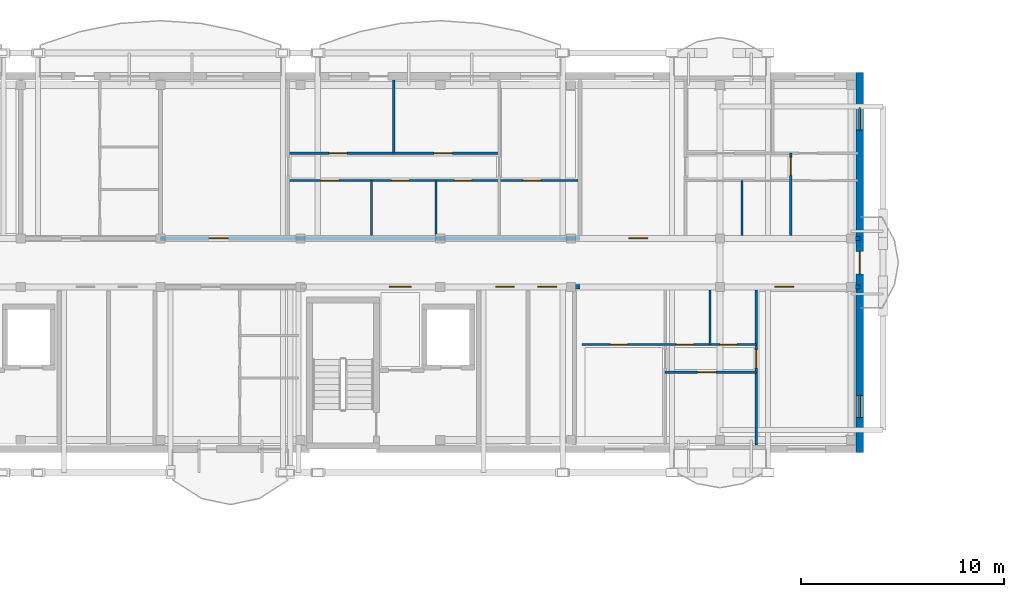
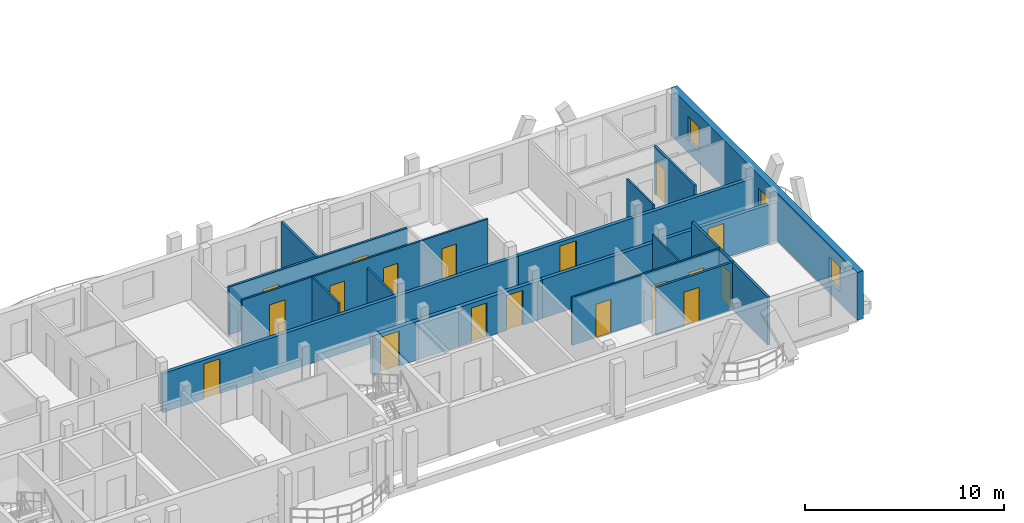
# One storey, part 23 of 44: 19 doors, 16 walls, 2 windows, 21 openings.
"""IFC4 building model written with IfcOpenShell, lengths in metres."""

import ifcopenshell
import ifcopenshell.guid

model = None  # the IFC model being written
_history = None  # IfcOwnerHistory: only IFC2X3 demands one
_inside = {}  # id of a spatial element -> (the spatial element, [elements in it])
_under = {}  # id of a project, library or spatial element -> (it, [spatial elements below it])
_declared = {}  # id of a project -> (the project, [libraries it declares])
_typed = {}  # id of a type object -> (the type object, [elements of that type])
_made_of = {}  # id of a material, layer set ... -> (it, [elements and type objects made of it])


def new_model(schema):
    """Start an empty IFC model of exactly this schema.

    Asked for "IFC4X3", IfcOpenShell would pick the latest addendum, in which some entities
    have other attributes; the version numbers below select the first issue.
    IFC2X3 requires an IfcOwnerHistory on every rooted entity: one is made here for all.
    """
    global model, _history
    if schema == "IFC4X3":
        model = ifcopenshell.file(schema_version=(4, 3, 0, 0))
    else:
        model = ifcopenshell.file(schema=schema)
    _inside.clear()
    _under.clear()
    _declared.clear()
    _typed.clear()
    _made_of.clear()
    _history = None
    if model.schema == "IFC2X3":
        org = make("IfcOrganization", Name="unknown")
        user = make(
            "IfcPersonAndOrganization",
            ThePerson=make("IfcPerson", FamilyName="unknown"),
            TheOrganization=org,
        )
        app = make(
            "IfcApplication",
            ApplicationDeveloper=org,
            Version="unknown",
            ApplicationFullName="unknown",
            ApplicationIdentifier="unknown",
        )
        _history = make(
            "IfcOwnerHistory",
            OwningUser=user,
            OwningApplication=app,
            ChangeAction="ADDED",
            CreationDate=0,
        )
    return model


def make(cls, **values):
    """One entity of the class cls with the attributes given. An attribute that is None is left unset."""
    return model.create_entity(
        cls, **{name: value for name, value in values.items() if value is not None}
    )


def rooted(cls, **values):
    """An entity with a GlobalId (a new one), such as an element, a storey or a relation."""
    return make(cls, GlobalId=ifcopenshell.guid.new(), OwnerHistory=_history, **values)


def si_unit(unit_type, name, prefix=None):
    """IfcSIUnit, for example si_unit("LENGTHUNIT", "METRE", prefix="MILLI")."""
    return make("IfcSIUnit", UnitType=unit_type, Prefix=prefix, Name=name)


def assignment(units):
    """IfcUnitAssignment: the units of a project."""
    return None if units is None else make("IfcUnitAssignment", Units=units)


def point(xyz):
    """IfcCartesianPoint."""
    return None if xyz is None else make("IfcCartesianPoint", Coordinates=xyz)


def direction(xyz):
    """IfcDirection."""
    return None if xyz is None else make("IfcDirection", DirectionRatios=xyz)


def frame(location, z_axis=None, x_axis=None):
    """IfcAxis2Placement3D, a coordinate frame: its origin and axes. An axis left out is left unset."""
    return make(
        "IfcAxis2Placement3D",
        Location=point(location),
        Axis=direction(z_axis),
        RefDirection=direction(x_axis),
    )


def frame_2d(location, x_axis=None):
    """IfcAxis2Placement2D, a coordinate frame in the plane: its origin and x axis."""
    return make(
        "IfcAxis2Placement2D", Location=point(location), RefDirection=direction(x_axis)
    )


def origin():
    """The frame at (0, 0, 0) with its axes left unset."""
    return frame((0.0, 0.0, 0.0))


def origin_with_axes():
    """The frame at (0, 0, 0) with the z axis (0, 0, 1) and the x axis (1, 0, 0) written out."""
    return frame((0.0, 0.0, 0.0), z_axis=(0.0, 0.0, 1.0), x_axis=(1.0, 0.0, 0.0))


def place(relative_to, where):
    """IfcLocalPlacement: puts the frame where relative to a parent placement (None: the world)."""
    return make(
        "IfcLocalPlacement", PlacementRelTo=relative_to, RelativePlacement=where
    )


def context(
    kind, dimensions, precision=None, world=None, true_north=None, identifier=None
):
    """IfcGeometricRepresentationContext, for example the 3D "Model" context."""
    return make(
        "IfcGeometricRepresentationContext",
        ContextIdentifier=identifier,
        ContextType=kind,
        CoordinateSpaceDimension=dimensions,
        Precision=precision,
        WorldCoordinateSystem=world,
        TrueNorth=true_north,
    )


def subcontext(parent, identifier, kind, view, scale=None):
    """IfcGeometricRepresentationSubContext, for example "Body" below "Model"."""
    return make(
        "IfcGeometricRepresentationSubContext",
        ContextIdentifier=identifier,
        ContextType=kind,
        ParentContext=parent,
        TargetScale=scale,
        TargetView=view,
    )


def project(units=None, contexts=None):
    """IfcProject with its units and contexts."""
    return rooted(
        "IfcProject",
        Name="project",
        RepresentationContexts=contexts,
        UnitsInContext=assignment(units),
    )


def spatial(cls, under=None, at=None, **own):
    """A site, building, storey or space (cls), placed at a placement, below another one or the project."""
    s = rooted(cls, ObjectPlacement=at, **own)
    if under is not None:
        _under.setdefault(under.id(), (under, []))[1].append(s)
    return s


def profile(cls, at=None, kind="AREA", **sizes):
    """A parametric profile (cls). Its sizes go by their IFC names, for example OverallWidth=200.0."""
    return make(cls, ProfileType=kind, Position=at, **sizes)


def rectangle(**sizes):
    """IfcRectangleProfileDef."""
    return profile("IfcRectangleProfileDef", **sizes)


def extrude(swept, where, along, depth):
    """IfcExtrudedAreaSolid: the profile swept, set in the frame where, extruded along a direction by depth."""
    return make(
        "IfcExtrudedAreaSolid",
        SweptArea=swept,
        Position=where,
        ExtrudedDirection=direction(along),
        Depth=depth,
    )


def shape(context_of_items, identifier, shape_type, items):
    """IfcShapeRepresentation: the items that make up one representation, for example the "Body"."""
    return make(
        "IfcShapeRepresentation",
        ContextOfItems=context_of_items,
        RepresentationIdentifier=identifier,
        RepresentationType=shape_type,
        Items=items,
    )


def material(Name=None, Category=None):
    """IfcMaterial."""
    return make("IfcMaterial", Name=Name, Category=Category)


def layer(
    of_material, thickness, ventilated=None, Name=None, Category=None, Priority=None
):
    """IfcMaterialLayer: one layer of a wall or slab, of a material (None: an air gap)."""
    return make(
        "IfcMaterialLayer",
        Material=of_material,
        LayerThickness=thickness,
        IsVentilated=ventilated,
        Name=Name,
        Category=Category,
        Priority=Priority,
    )


def layer_set(layers, Name=None):
    """IfcMaterialLayerSet."""
    return make("IfcMaterialLayerSet", MaterialLayers=layers, LayerSetName=Name)


def made_of(thing, what):
    """Note that an element or type object is made of a material, layer set ...; save() writes the relation."""
    if what is not None:
        _made_of.setdefault(what.id(), (what, []))[1].append(thing)
    return thing


def type_object(cls, material=None, **own):
    """A type object (cls), such as IfcWallType, which elements share."""
    return made_of(rooted(cls, **own), material)


def element(
    cls,
    number,
    at=None,
    inside=None,
    cuts=None,
    type_object=None,
    material=None,
    context=None,
    identifier="Body",
    shape_type=None,
    held_by="IfcProductDefinitionShape",
    body=None,
    shapes=None,
    **own,
):
    """One element of the class cls, such as IfcWall. Its Tag is "e" and its number.

    at: its placement. inside: the storey or other place that contains it. cuts: it is an
    opening in that element (IfcRelVoidsElement). A single representation is given by context,
    identifier, shape_type and body (its items); several are given by shapes. held_by: the class
    of the entity that holds the representations. save() writes the other relations.
    """
    e = rooted(cls, Tag="e%d" % number, ObjectPlacement=at, **own)
    if body is not None:
        shapes = [shape(context, identifier, shape_type, body)]
    if shapes is not None:
        e.Representation = make(held_by, Representations=shapes)
    if inside is not None:
        _inside.setdefault(inside.id(), (inside, []))[1].append(e)
    if cuts is not None:
        rooted(
            "IfcRelVoidsElement", RelatingBuildingElement=cuts, RelatedOpeningElement=e
        )
    if type_object is not None:
        _typed.setdefault(type_object.id(), (type_object, []))[1].append(e)
    return made_of(e, material)


def fill(opening, filler):
    """IfcRelFillsElement: the door or window that sits in an opening."""
    return rooted(
        "IfcRelFillsElement",
        RelatingOpeningElement=opening,
        RelatedBuildingElement=filler,
    )


def aggregate(whole, parts):
    """IfcRelAggregates: a whole, such as a stair, and the parts it consists of."""
    return rooted("IfcRelAggregates", RelatingObject=whole, RelatedObjects=parts)


def save(model, path):
    """Write the relations noted so far, then the file.

    IfcRelAggregates (storeys below a building ...), IfcRelContainedInSpatialStructure (elements
    in a storey), IfcRelDefinesByType, IfcRelAssociatesMaterial and IfcRelDeclares: one each for
    every whole, place, type object, material and project.
    """
    for whole, parts in _under.values():
        aggregate(whole, parts)
    for where, things in _inside.values():
        rooted(
            "IfcRelContainedInSpatialStructure",
            RelatedElements=things,
            RelatingStructure=where,
        )
    for kind, things in _typed.values():
        rooted("IfcRelDefinesByType", RelatedObjects=things, RelatingType=kind)
    for what, things in _made_of.values():
        rooted("IfcRelAssociatesMaterial", RelatedObjects=things, RelatingMaterial=what)
    for by, libraries in _declared.values():
        rooted("IfcRelDeclares", RelatingContext=by, RelatedDefinitions=libraries)
    model.write(path)


model = new_model("IFC4")

# Units and contexts
model_context = context("Model", 3, precision=1e-05, world=origin(), true_north=direction((0.0, 1.0)))
body_context = subcontext(model_context, "Body", "Model", "MODEL_VIEW")
ifc_project = project(units=[si_unit("LENGTHUNIT", "METRE"), si_unit("AREAUNIT", "SQUARE_METRE"), si_unit("VOLUMEUNIT", "CUBIC_METRE"), si_unit("PLANEANGLEUNIT", "RADIAN"), si_unit("MASSUNIT", "GRAM", prefix="KILO")], contexts=[model_context])

# Site, building, storey
site_placement = place(None, origin())
site = spatial("IfcSite", under=ifc_project, at=site_placement, CompositionType="ELEMENT")
building_placement = place(site_placement, origin())
building = spatial("IfcBuilding", under=site, at=building_placement, Name="Zavelmont Quarter", CompositionType="ELEMENT")
storey_placement = place(building_placement, frame((0.0, 0.0, 20.800048828125)))
storey = spatial("IfcBuildingStorey", under=building, at=storey_placement, Name="L06", CompositionType="ELEMENT", Elevation=20.800048828125)

# Wall, openings, door, windows
ifc_material_1 = material(Name="Natural Belgian limestone", Category="masonry")
ifc_layer_1 = layer(ifc_material_1, 0.360107421875)
ifc_layer_set_1 = layer_set([ifc_layer_1], Name="Natural Belgian limestone")
wall_type_1 = type_object("IfcWallType", Name="EW02", PredefinedType="STANDARD", material=ifc_layer_set_1)
wall_1_placement = place(storey_placement, frame((55.199951171875, 97.419921875, 0.0), z_axis=(0.0, 0.0, 1.0), x_axis=(0.0, 1.0, 0.0)))
wall_1 = element("IfcWall", 1, at=wall_1_placement, inside=storey, type_object=wall_type_1, Name="L06 exterior limestone wall EW02", PredefinedType="STANDARD", context=body_context, shape_type="SweptSolid", body=[
    extrude(rectangle(XDim=18.760009765625, YDim=0.360107421875, at=frame_2d((9.3798828125, 0.0))), origin(), (0.0, 0.0, 1.0), 2.949951171875),
])
opening_1_placement = place(wall_1_placement, frame((8.830078125, 0.0, 0.0)))
opening_1 = element("IfcOpeningElement", 2, at=opening_1_placement, cuts=wall_1, Name="Opening DR04B", PredefinedType="OPENING", context=body_context, shape_type="SweptSolid", body=[
    extrude(rectangle(XDim=1.10009765625, YDim=2.10009765625, at=frame_2d((0.550048828125, 1.050048828125))), frame((0.0, 0.19189453125, 0.0), z_axis=(0.0, -1.0, 0.0), x_axis=(1.0, 0.0, 0.0)), (0.0, 0.0, 1.0), 0.384033203125),
])
opening_2_placement = place(wall_1_placement, frame((1.72998046875, 0.0, 0.719970703125)))
opening_2 = element("IfcOpeningElement", 3, at=opening_2_placement, cuts=wall_1, Name="Opening WN09", PredefinedType="OPENING", context=body_context, shape_type="SweptSolid", body=[
    extrude(rectangle(XDim=1.10009765625, YDim=1.5, at=frame_2d((0.550048828125, 0.75))), frame((0.0, 0.19189453125, 0.0), z_axis=(0.0, -1.0, 0.0), x_axis=(1.0, 0.0, 0.0)), (0.0, 0.0, 1.0), 0.384033203125),
])
opening_3_placement = place(wall_1_placement, frame((15.929931640625, 0.0, 0.719970703125)))
opening_3 = element("IfcOpeningElement", 4, at=opening_3_placement, cuts=wall_1, Name="Opening WN09", PredefinedType="OPENING", context=body_context, shape_type="SweptSolid", body=[
    extrude(rectangle(XDim=1.10009765625, YDim=1.5, at=frame_2d((0.550048828125, 0.75))), frame((0.0, 0.19189453125, 0.0), z_axis=(0.0, -1.0, 0.0), x_axis=(1.0, 0.0, 0.0)), (0.0, 0.0, 1.0), 0.384033203125),
])
ifc_material_2 = material(Name="Thermally broken aluminium and double safety glass", Category="aluminium")
door_type_1 = type_object("IfcDoorType", Name="DR04B", OperationType="NOTDEFINED", PredefinedType="DOOR", material=ifc_material_2)
door_1_placement = place(opening_1_placement, origin_with_axes())
door_1 = element("IfcDoor", 5, at=door_1_placement, inside=storey, type_object=door_type_1, Name="Block B L06 terrace or vase balcony door", OperationType="SINGLE_SWING_RIGHT", OverallHeight=2.10009765625, OverallWidth=1.10009765625, PredefinedType="DOOR", context=body_context, shape_type="SweptSolid", body=[
    extrude(rectangle(XDim=1.10009765625, YDim=2.10009765625, at=frame_2d((0.550048828125, 1.050048828125))), frame((0.0, 0.02490234375, 0.0), z_axis=(0.0, -1.0, 0.0), x_axis=(1.0, 0.0, 0.0)), (0.0, 0.0, 1.0), 0.050048828125),
])
fill(opening_1, door_1)
ifc_material_3 = material(Name="Double low-E insulated glazing in thermally broken aluminium frame", Category="aluminium")
window_type = type_object("IfcWindowType", Name="WN09", PartitioningType="SINGLE_PANEL", PredefinedType="WINDOW", material=ifc_material_3)
window_1_placement = place(opening_2_placement, origin_with_axes())
window_1 = element("IfcWindow", 6, at=window_1_placement, inside=storey, type_object=window_type, Name="L06 window WN09", OverallHeight=1.5, OverallWidth=1.10009765625, PartitioningType="SINGLE_PANEL", PredefinedType="WINDOW", context=body_context, shape_type="SweptSolid", body=[
    extrude(rectangle(XDim=1.10009765625, YDim=1.5, at=frame_2d((0.550048828125, 0.75))), frame((0.0, 0.030029296875, 0.0), z_axis=(0.0, -1.0, 0.0), x_axis=(1.0, 0.0, 0.0)), (0.0, 0.0, 1.0), 0.06005859375),
])
fill(opening_2, window_1)
window_2_placement = place(opening_3_placement, origin_with_axes())
window_2 = element("IfcWindow", 7, at=window_2_placement, inside=storey, type_object=window_type, Name="L06 window WN09", OverallHeight=1.5, OverallWidth=1.10009765625, PartitioningType="SINGLE_PANEL", PredefinedType="WINDOW", context=body_context, shape_type="SweptSolid", body=[
    extrude(rectangle(XDim=1.10009765625, YDim=1.5, at=frame_2d((0.550048828125, 0.75))), frame((0.0, 0.030029296875, 0.0), z_axis=(0.0, -1.0, 0.0), x_axis=(1.0, 0.0, 0.0)), (0.0, 0.0, 1.0), 0.06005859375),
])
fill(opening_3, window_2)

# Wall, opening, door
ifc_material_4 = material(Name="Calcium-silicate blockwork and acoustic plaster", Category="masonry")
ifc_layer_2 = layer(ifc_material_4, 0.199951171875)
ifc_layer_set_2 = layer_set([ifc_layer_2], Name="Calcium-silicate blockwork and acoustic plaster")
wall_type_2 = type_object("IfcWallType", Name="IW01", PredefinedType="PARTITIONING", material=ifc_layer_set_2)
wall_2_placement = place(storey_placement, frame((20.699951171875, 108.0, 0.0), z_axis=(0.0, 0.0, 1.0), x_axis=(1.0, 0.0, 0.0)))
wall_2 = element("IfcWall", 8, at=wall_2_placement, inside=storey, type_object=wall_type_2, Name="L06 Corridor compartment wall IW01", PredefinedType="PARTITIONING", context=body_context, shape_type="SweptSolid", body=[
    extrude(rectangle(XDim=20.699951171875, YDim=0.199951171875, at=frame_2d((10.35009765625, 0.0))), origin(), (0.0, 0.0, 1.0), 2.389892578125),
])
opening_4_placement = place(wall_2_placement, frame((2.39990234375, 0.0, 0.0)))
opening_4 = element("IfcOpeningElement", 9, at=opening_4_placement, cuts=wall_2, Name="Opening DR02", PredefinedType="OPENING", context=body_context, shape_type="SweptSolid", body=[
    extrude(rectangle(XDim=0.949951171875, YDim=2.14990234375, at=frame_2d((0.47509765625, 1.074951171875))), frame((0.0, 0.11181640625, 0.0), z_axis=(0.0, -1.0, 0.0), x_axis=(1.0, 0.0, 0.0)), (0.0, 0.0, 1.0), 0.223876953125),
])
ifc_material_5 = material(Name="Solid-core oak fire leaf in steel frame", Category="steel")
door_type_2 = type_object("IfcDoorType", Name="DR02", OperationType="NOTDEFINED", PredefinedType="DOOR", material=ifc_material_5)
door_2_placement = place(opening_4_placement, origin_with_axes())
door_2 = element("IfcDoor", 10, at=door_2_placement, inside=storey, type_object=door_type_2, Name="L06 door DR02", OperationType="SINGLE_SWING_RIGHT", OverallHeight=2.14990234375, OverallWidth=0.949951171875, PredefinedType="DOOR", context=body_context, shape_type="SweptSolid", body=[
    extrude(rectangle(XDim=0.949951171875, YDim=2.14990234375, at=frame_2d((0.47509765625, 1.074951171875))), frame((0.0, 0.02490234375, 0.0), z_axis=(0.0, -1.0, 0.0), x_axis=(1.0, 0.0, 0.0)), (0.0, 0.0, 1.0), 0.050048828125),
])
fill(opening_4, door_2)

wall_3_placement = place(storey_placement, frame((41.39990234375, 108.0, 0.0), z_axis=(0.0, 0.0, 1.0), x_axis=(1.0, 0.0, 0.0)))
wall_3 = element("IfcWall", 11, at=wall_3_placement, inside=storey, type_object=wall_type_2, Name="L06 Corridor compartment wall IW01", PredefinedType="PARTITIONING", context=body_context, shape_type="SweptSolid", body=[
    extrude(rectangle(XDim=13.800048828125, YDim=0.199951171875, at=frame_2d((6.89990234375, 0.0))), origin(), (0.0, 0.0, 1.0), 2.389892578125),
])
opening_5_placement = place(wall_3_placement, frame((2.39990234375, 0.0, 0.0)))
opening_5 = element("IfcOpeningElement", 12, at=opening_5_placement, cuts=wall_3, Name="Opening DR02", PredefinedType="OPENING", context=body_context, shape_type="SweptSolid", body=[
    extrude(rectangle(XDim=0.949951171875, YDim=2.14990234375, at=frame_2d((0.47509765625, 1.074951171875))), frame((0.0, 0.11181640625, 0.0), z_axis=(0.0, -1.0, 0.0), x_axis=(1.0, 0.0, 0.0)), (0.0, 0.0, 1.0), 0.223876953125),
])
door_3_placement = place(opening_5_placement, origin_with_axes())
door_3 = element("IfcDoor", 13, at=door_3_placement, inside=storey, type_object=door_type_2, Name="L06 door DR02", OperationType="SINGLE_SWING_RIGHT", OverallHeight=2.14990234375, OverallWidth=0.949951171875, PredefinedType="DOOR", context=body_context, shape_type="SweptSolid", body=[
    extrude(rectangle(XDim=0.949951171875, YDim=2.14990234375, at=frame_2d((0.47509765625, 1.074951171875))), frame((0.0, 0.02490234375, 0.0), z_axis=(0.0, -1.0, 0.0), x_axis=(1.0, 0.0, 0.0)), (0.0, 0.0, 1.0), 0.050048828125),
])
fill(opening_5, door_3)

wall_4_placement = place(storey_placement, frame((41.39990234375, 105.60009765625, 0.0), z_axis=(0.0, 0.0, 1.0), x_axis=(1.0, 0.0, 0.0)))
wall_4 = element("IfcWall", 14, at=wall_4_placement, inside=storey, type_object=wall_type_2, Name="L06 Corridor compartment wall IW01", PredefinedType="PARTITIONING", context=body_context, shape_type="SweptSolid", body=[
    extrude(rectangle(XDim=13.800048828125, YDim=0.199951171875, at=frame_2d((6.89990234375, 0.0))), origin(), (0.0, 0.0, 1.0), 2.389892578125),
])
opening_6_placement = place(wall_4_placement, frame((9.60009765625, 0.0, 0.0)))
opening_6 = element("IfcOpeningElement", 15, at=opening_6_placement, cuts=wall_4, Name="Opening DR02", PredefinedType="OPENING", context=body_context, shape_type="SweptSolid", body=[
    extrude(rectangle(XDim=0.949951171875, YDim=2.14990234375, at=frame_2d((0.47509765625, 1.074951171875))), frame((0.0, 0.11181640625, 0.0), z_axis=(0.0, -1.0, 0.0), x_axis=(1.0, 0.0, 0.0)), (0.0, 0.0, 1.0), 0.223876953125),
])
door_4_placement = place(opening_6_placement, frame((0.949951171875, 0.0, 0.0), z_axis=(0.0, 0.0, 1.0), x_axis=(-1.0, 0.0, 0.0)))
door_4 = element("IfcDoor", 16, at=door_4_placement, inside=storey, type_object=door_type_2, Name="L06 door DR02", OperationType="SINGLE_SWING_LEFT", OverallHeight=2.14990234375, OverallWidth=0.949951171875, PredefinedType="DOOR", context=body_context, shape_type="SweptSolid", body=[
    extrude(rectangle(XDim=0.949951171875, YDim=2.14990234375, at=frame_2d((0.47509765625, 1.074951171875))), frame((0.0, 0.02490234375, 0.0), z_axis=(0.0, -1.0, 0.0), x_axis=(1.0, 0.0, 0.0)), (0.0, 0.0, 1.0), 0.050048828125),
])
fill(opening_6, door_4)

# Wall, openings, doors
ifc_material_6 = material(Name="Reinforced masonry fire compartment wall", Category="masonry")
ifc_layer_3 = layer(ifc_material_6, 0.22509765625)
ifc_layer_set_3 = layer_set([ifc_layer_3], Name="Reinforced masonry fire compartment wall")
wall_type_3 = type_object("IfcWallType", Name="IW02", PredefinedType="PARTITIONING", material=ifc_layer_set_3)
wall_5_placement = place(storey_placement, frame((31.5, 105.60009765625, 0.0), z_axis=(0.0, 0.0, 1.0), x_axis=(1.0, 0.0, 0.0)))
wall_5 = element("IfcWall", 17, at=wall_5_placement, inside=storey, type_object=wall_type_3, Name="L06 Core corridor fire wall IW02", PredefinedType="PARTITIONING", context=body_context, shape_type="SweptSolid", body=[
    extrude(rectangle(XDim=9.89990234375, YDim=0.22509765625, at=frame_2d((4.949951171875, 0.0))), origin(), (0.0, 0.0, 1.0), 2.389892578125),
])
opening_7_placement = place(wall_5_placement, frame((0.47509765625, 0.0, 0.0)))
opening_7 = element("IfcOpeningElement", 18, at=opening_7_placement, cuts=wall_5, Name="Opening DR10", PredefinedType="OPENING", context=body_context, shape_type="SweptSolid", body=[
    extrude(rectangle(XDim=1.10009765625, YDim=2.14990234375, at=frame_2d((0.550048828125, 1.074951171875))), frame((0.0, 0.12451171875, 0.0), z_axis=(0.0, -1.0, 0.0), x_axis=(1.0, 0.0, 0.0)), (0.0, 0.0, 1.0), 0.2490234375),
])
opening_8_placement = place(wall_5_placement, frame((5.75, 0.0, 0.0)))
opening_8 = element("IfcOpeningElement", 19, at=opening_8_placement, cuts=wall_5, Name="Opening DR11", PredefinedType="OPENING", context=body_context, shape_type="SweptSolid", body=[
    extrude(rectangle(XDim=0.89990234375, YDim=2.10009765625, at=frame_2d((0.449951171875, 1.050048828125))), frame((0.0, 0.12451171875, 0.0), z_axis=(0.0, -1.0, 0.0), x_axis=(1.0, 0.0, 0.0)), (0.0, 0.0, 1.0), 0.2490234375),
])
opening_9_placement = place(wall_5_placement, frame((7.800048828125, 0.0, 0.0)))
opening_9 = element("IfcOpeningElement", 20, at=opening_9_placement, cuts=wall_5, Name="Opening DR02", PredefinedType="OPENING", context=body_context, shape_type="SweptSolid", body=[
    extrude(rectangle(XDim=0.949951171875, YDim=2.14990234375, at=frame_2d((0.47509765625, 1.074951171875))), frame((0.0, 0.12451171875, 0.0), z_axis=(0.0, -1.0, 0.0), x_axis=(1.0, 0.0, 0.0)), (0.0, 0.0, 1.0), 0.2490234375),
])
door_5_placement = place(opening_9_placement, origin_with_axes())
door_5 = element("IfcDoor", 21, at=door_5_placement, inside=storey, type_object=door_type_2, Name="Auxiliary store corridor door", OperationType="SINGLE_SWING_RIGHT", OverallHeight=2.14990234375, OverallWidth=0.949951171875, PredefinedType="DOOR", context=body_context, shape_type="SweptSolid", body=[
    extrude(rectangle(XDim=0.949951171875, YDim=2.14990234375, at=frame_2d((0.47509765625, 1.074951171875))), frame((0.0, 0.02490234375, 0.0), z_axis=(0.0, -1.0, 0.0), x_axis=(1.0, 0.0, 0.0)), (0.0, 0.0, 1.0), 0.050048828125),
])
fill(opening_9, door_5)
ifc_material_7 = material(Name="Painted steel lobby fire door", Category="steel")
door_type_3 = type_object("IfcDoorType", Name="DR10", OperationType="NOTDEFINED", PredefinedType="DOOR", material=ifc_material_7)
door_6_placement = place(opening_7_placement, frame((1.10009765625, 0.0, 0.0), z_axis=(0.0, 0.0, 1.0), x_axis=(-1.0, 0.0, 0.0)))
door_6 = element("IfcDoor", 22, at=door_6_placement, inside=storey, type_object=door_type_3, Name="Core vestibule fire door", OperationType="SINGLE_SWING_RIGHT", OverallHeight=2.14990234375, OverallWidth=1.10009765625, PredefinedType="DOOR", context=body_context, shape_type="SweptSolid", body=[
    extrude(rectangle(XDim=1.10009765625, YDim=2.14990234375, at=frame_2d((0.550048828125, 1.074951171875))), frame((0.0, 0.02490234375, 0.0), z_axis=(0.0, -1.0, 0.0), x_axis=(1.0, 0.0, 0.0)), (0.0, 0.0, 1.0), 0.050048828125),
])
fill(opening_7, door_6)
ifc_material_8 = material(Name="Painted steel service-riser fire door", Category="steel")
door_type_4 = type_object("IfcDoorType", Name="DR11", OperationType="NOTDEFINED", PredefinedType="DOOR", material=ifc_material_8)
door_7_placement = place(opening_8_placement, origin_with_axes())
door_7 = element("IfcDoor", 23, at=door_7_placement, inside=storey, type_object=door_type_4, Name="Service riser fire door", OperationType="SINGLE_SWING_LEFT", OverallHeight=2.10009765625, OverallWidth=0.89990234375, PredefinedType="DOOR", context=body_context, shape_type="SweptSolid", body=[
    extrude(rectangle(XDim=0.89990234375, YDim=2.10009765625, at=frame_2d((0.449951171875, 1.050048828125))), frame((0.0, 0.02490234375, 0.0), z_axis=(0.0, -1.0, 0.0), x_axis=(1.0, 0.0, 0.0)), (0.0, 0.0, 1.0), 0.050048828125),
])
fill(opening_8, door_7)

# Wall
ifc_material_9 = material(Name="Double gypsum board on acoustic steel stud", Category="steel")
ifc_layer_4 = layer(ifc_material_9, 0.125)
ifc_layer_set_4 = layer_set([ifc_layer_4], Name="Double gypsum board on acoustic steel stud")
wall_type_4 = type_object("IfcWallType", Name="IW03", PredefinedType="PARTITIONING", material=ifc_layer_set_4)
wall_6_placement = place(storey_placement, frame((32.199951171875, 112.199951171875, 0.0), z_axis=(0.0, 0.0, 1.0), x_axis=(0.0, 1.0, 0.0)))
element("IfcWall", 24, at=wall_6_placement, inside=storey, type_object=wall_type_4, Name="L06 Partition IW03", PredefinedType="PARTITIONING", context=body_context, shape_type="SweptSolid", body=[
    extrude(rectangle(XDim=3.60009765625, YDim=0.125, at=frame_2d((1.800048828125, 0.0))), origin(), (0.0, 0.0, 1.0), 2.949951171875),
])

# Wall, openings, doors
wall_7_placement = place(storey_placement, frame((27.0, 112.199951171875, 0.0), z_axis=(0.0, 0.0, 1.0), x_axis=(1.0, 0.0, 0.0)))
wall_7 = element("IfcWall", 25, at=wall_7_placement, inside=storey, type_object=wall_type_4, Name="L06 Partition IW03", PredefinedType="PARTITIONING", context=body_context, shape_type="SweptSolid", body=[
    extrude(rectangle(XDim=10.39990234375, YDim=0.125, at=frame_2d((5.199951171875, 0.0))), origin(), (0.0, 0.0, 1.0), 2.949951171875),
])
opening_10_placement = place(wall_7_placement, frame((2.0, 0.0, 0.0)))
opening_10 = element("IfcOpeningElement", 26, at=opening_10_placement, cuts=wall_7, Name="Opening DR05", PredefinedType="OPENING", context=body_context, shape_type="SweptSolid", body=[
    extrude(rectangle(XDim=0.89990234375, YDim=2.10009765625, at=frame_2d((0.449951171875, 1.050048828125))), frame((0.0, 0.074462890625, 0.0), z_axis=(0.0, -1.0, 0.0), x_axis=(1.0, 0.0, 0.0)), (0.0, 0.0, 1.0), 0.14892578125),
])
opening_11_placement = place(wall_7_placement, frame((7.199951171875, 0.0, 0.0)))
opening_11 = element("IfcOpeningElement", 27, at=opening_11_placement, cuts=wall_7, Name="Opening DR05", PredefinedType="OPENING", context=body_context, shape_type="SweptSolid", body=[
    extrude(rectangle(XDim=0.89990234375, YDim=2.10009765625, at=frame_2d((0.449951171875, 1.050048828125))), frame((0.0, 0.074462890625, 0.0), z_axis=(0.0, -1.0, 0.0), x_axis=(1.0, 0.0, 0.0)), (0.0, 0.0, 1.0), 0.14892578125),
])
ifc_material_10 = material(Name="Engineered oak flush interior door")
door_type_5 = type_object("IfcDoorType", Name="DR05", OperationType="NOTDEFINED", PredefinedType="DOOR", material=ifc_material_10)
door_8_placement = place(opening_10_placement, origin_with_axes())
door_8 = element("IfcDoor", 28, at=door_8_placement, inside=storey, type_object=door_type_5, Name="L06 door DR05", OperationType="SINGLE_SWING_RIGHT", OverallHeight=2.10009765625, OverallWidth=0.89990234375, PredefinedType="DOOR", context=body_context, shape_type="SweptSolid", body=[
    extrude(rectangle(XDim=0.89990234375, YDim=2.10009765625, at=frame_2d((0.449951171875, 1.050048828125))), frame((0.0, 0.02490234375, 0.0), z_axis=(0.0, -1.0, 0.0), x_axis=(1.0, 0.0, 0.0)), (0.0, 0.0, 1.0), 0.050048828125),
])
fill(opening_10, door_8)
door_9_placement = place(opening_11_placement, frame((0.89990234375, 0.0, 0.0), z_axis=(0.0, 0.0, 1.0), x_axis=(-1.0, 0.0, 0.0)))
door_9 = element("IfcDoor", 29, at=door_9_placement, inside=storey, type_object=door_type_5, Name="L06 door DR05", OperationType="SINGLE_SWING_LEFT", OverallHeight=2.10009765625, OverallWidth=0.89990234375, PredefinedType="DOOR", context=body_context, shape_type="SweptSolid", body=[
    extrude(rectangle(XDim=0.89990234375, YDim=2.10009765625, at=frame_2d((0.449951171875, 1.050048828125))), frame((0.0, 0.02490234375, 0.0), z_axis=(0.0, -1.0, 0.0), x_axis=(1.0, 0.0, 0.0)), (0.0, 0.0, 1.0), 0.050048828125),
])
fill(opening_11, door_9)

# Wall, opening, door
wall_8_placement = place(storey_placement, frame((51.800048828125, 108.14990234375, 0.0), z_axis=(0.0, 0.0, 1.0), x_axis=(0.0, 1.0, 0.0)))
wall_8 = element("IfcWall", 30, at=wall_8_placement, inside=storey, type_object=wall_type_4, Name="L06 Partition IW03", PredefinedType="PARTITIONING", context=body_context, shape_type="SweptSolid", body=[
    extrude(rectangle(XDim=4.050048828125, YDim=0.125, at=frame_2d((2.02490234375, 0.0))), origin(), (0.0, 0.0, 1.0), 2.949951171875),
])
opening_12_placement = place(wall_8_placement, frame((2.949951171875, 0.0, 0.0)))
opening_12 = element("IfcOpeningElement", 31, at=opening_12_placement, cuts=wall_8, Name="Opening DR05", PredefinedType="OPENING", context=body_context, shape_type="SweptSolid", body=[
    extrude(rectangle(XDim=0.89990234375, YDim=2.10009765625, at=frame_2d((0.449951171875, 1.050048828125))), frame((0.0, 0.074462890625, 0.0), z_axis=(0.0, -1.0, 0.0), x_axis=(1.0, 0.0, 0.0)), (0.0, 0.0, 1.0), 0.14892578125),
])
door_10_placement = place(opening_12_placement, origin_with_axes())
door_10 = element("IfcDoor", 32, at=door_10_placement, inside=storey, type_object=door_type_5, Name="L06 door DR05", OperationType="SINGLE_SWING_LEFT", OverallHeight=2.10009765625, OverallWidth=0.89990234375, PredefinedType="DOOR", context=body_context, shape_type="SweptSolid", body=[
    extrude(rectangle(XDim=0.89990234375, YDim=2.10009765625, at=frame_2d((0.449951171875, 1.050048828125))), frame((0.0, 0.02490234375, 0.0), z_axis=(0.0, -1.0, 0.0), x_axis=(1.0, 0.0, 0.0)), (0.0, 0.0, 1.0), 0.050048828125),
])
fill(opening_12, door_10)

wall_9_placement = place(storey_placement, frame((50.10009765625, 105.449951171875, 0.0), z_axis=(0.0, 0.0, 1.0), x_axis=(0.0, -1.0, 0.0)))
wall_9 = element("IfcWall", 33, at=wall_9_placement, inside=storey, type_object=wall_type_4, Name="L06 Partition IW03", PredefinedType="PARTITIONING", context=body_context, shape_type="SweptSolid", body=[
    extrude(rectangle(XDim=7.64990234375, YDim=0.125, at=frame_2d((3.824951171875, 0.0))), origin(), (0.0, 0.0, 1.0), 2.949951171875),
])
opening_13_placement = place(wall_9_placement, frame((2.949951171875, 0.0, 0.0)))
opening_13 = element("IfcOpeningElement", 34, at=opening_13_placement, cuts=wall_9, Name="Opening DR05", PredefinedType="OPENING", context=body_context, shape_type="SweptSolid", body=[
    extrude(rectangle(XDim=0.89990234375, YDim=2.10009765625, at=frame_2d((0.449951171875, 1.050048828125))), frame((0.0, 0.074462890625, 0.0), z_axis=(0.0, -1.0, 0.0), x_axis=(1.0, 0.0, 0.0)), (0.0, 0.0, 1.0), 0.14892578125),
])
door_11_placement = place(opening_13_placement, frame((0.89990234375, 0.0, 0.0), z_axis=(0.0, 0.0, 1.0), x_axis=(-1.0, 0.0, 0.0)))
door_11 = element("IfcDoor", 35, at=door_11_placement, inside=storey, type_object=door_type_5, Name="L06 door DR05", OperationType="SINGLE_SWING_LEFT", OverallHeight=2.10009765625, OverallWidth=0.89990234375, PredefinedType="DOOR", context=body_context, shape_type="SweptSolid", body=[
    extrude(rectangle(XDim=0.89990234375, YDim=2.10009765625, at=frame_2d((0.449951171875, 1.050048828125))), frame((0.0, 0.02490234375, 0.0), z_axis=(0.0, -1.0, 0.0), x_axis=(1.0, 0.0, 0.0)), (0.0, 0.0, 1.0), 0.050048828125),
])
fill(opening_13, door_11)

wall_10_placement = place(storey_placement, frame((45.60009765625, 101.39990234375, 0.0), z_axis=(0.0, 0.0, 1.0), x_axis=(1.0, 0.0, 0.0)))
wall_10 = element("IfcWall", 36, at=wall_10_placement, inside=storey, type_object=wall_type_4, Name="L06 Partition IW03", PredefinedType="PARTITIONING", context=body_context, shape_type="SweptSolid", body=[
    extrude(rectangle(XDim=4.5, YDim=0.125, at=frame_2d((2.25, 0.0))), origin(), (0.0, 0.0, 1.0), 2.949951171875),
])
opening_14_placement = place(wall_10_placement, frame((1.60009765625, 0.0, 0.0)))
opening_14 = element("IfcOpeningElement", 37, at=opening_14_placement, cuts=wall_10, Name="Opening DR05", PredefinedType="OPENING", context=body_context, shape_type="SweptSolid", body=[
    extrude(rectangle(XDim=0.89990234375, YDim=2.10009765625, at=frame_2d((0.449951171875, 1.050048828125))), frame((0.0, 0.074462890625, 0.0), z_axis=(0.0, -1.0, 0.0), x_axis=(1.0, 0.0, 0.0)), (0.0, 0.0, 1.0), 0.14892578125),
])
door_12_placement = place(opening_14_placement, origin_with_axes())
door_12 = element("IfcDoor", 38, at=door_12_placement, inside=storey, type_object=door_type_5, Name="L06 door DR05", OperationType="SINGLE_SWING_RIGHT", OverallHeight=2.10009765625, OverallWidth=0.89990234375, PredefinedType="DOOR", context=body_context, shape_type="SweptSolid", body=[
    extrude(rectangle(XDim=0.89990234375, YDim=2.10009765625, at=frame_2d((0.449951171875, 1.050048828125))), frame((0.0, 0.02490234375, 0.0), z_axis=(0.0, -1.0, 0.0), x_axis=(1.0, 0.0, 0.0)), (0.0, 0.0, 1.0), 0.050048828125),
])
fill(opening_14, door_12)

# Walls
ifc_material_11 = material(Name="Moisture-resistant gypsum board on steel stud", Category="steel")
ifc_layer_5 = layer(ifc_material_11, 0.10009765625)
ifc_layer_set_5 = layer_set([ifc_layer_5], Name="Moisture-resistant gypsum board on steel stud")
wall_type_5 = type_object("IfcWallType", Name="IW04", PredefinedType="PARTITIONING", material=ifc_layer_set_5)
wall_11_placement = place(storey_placement, frame((31.10009765625, 108.14990234375, 0.0), z_axis=(0.0, 0.0, 1.0), x_axis=(0.0, 1.0, 0.0)))
element("IfcWall", 39, at=wall_11_placement, inside=storey, type_object=wall_type_5, Name="L06 Partition IW04", PredefinedType="PARTITIONING", context=body_context, shape_type="SweptSolid", body=[
    extrude(rectangle(XDim=2.7001953125, YDim=0.10009765625, at=frame_2d((1.35009765625, 0.0))), origin(), (0.0, 0.0, 1.0), 2.949951171875),
])
wall_12_placement = place(storey_placement, frame((34.300048828125, 108.14990234375, 0.0), z_axis=(0.0, 0.0, 1.0), x_axis=(0.0, 1.0, 0.0)))
element("IfcWall", 40, at=wall_12_placement, inside=storey, type_object=wall_type_5, Name="L06 Partition IW04", PredefinedType="PARTITIONING", context=body_context, shape_type="SweptSolid", body=[
    extrude(rectangle(XDim=2.7001953125, YDim=0.10009765625, at=frame_2d((1.35009765625, 0.0))), origin(), (0.0, 0.0, 1.0), 2.389892578125),
])

# Wall, openings, doors
wall_13_placement = place(storey_placement, frame((27.0, 110.85009765625, 0.0), z_axis=(0.0, 0.0, 1.0), x_axis=(1.0, 0.0, 0.0)))
wall_13 = element("IfcWall", 41, at=wall_13_placement, inside=storey, type_object=wall_type_5, Name="L06 Partition IW04", PredefinedType="PARTITIONING", context=body_context, shape_type="SweptSolid", body=[
    extrude(rectangle(XDim=14.300048828125, YDim=0.10009765625, at=frame_2d((7.14990234375, 0.0))), origin(), (0.0, 0.0, 1.0), 2.949951171875),
])
opening_15_placement = place(wall_13_placement, frame((1.60009765625, 0.0, 0.0)))
opening_15 = element("IfcOpeningElement", 42, at=opening_15_placement, cuts=wall_13, Name="Opening DR05", PredefinedType="OPENING", context=body_context, shape_type="SweptSolid", body=[
    extrude(rectangle(XDim=0.89990234375, YDim=2.10009765625, at=frame_2d((0.449951171875, 1.050048828125))), frame((0.0, 0.06201171875, 0.0), z_axis=(0.0, -1.0, 0.0), x_axis=(1.0, 0.0, 0.0)), (0.0, 0.0, 1.0), 0.1240234375),
])
opening_16_placement = place(wall_13_placement, frame((5.10009765625, 0.0, 0.0)))
opening_16 = element("IfcOpeningElement", 43, at=opening_16_placement, cuts=wall_13, Name="Opening DR06", PredefinedType="OPENING", context=body_context, shape_type="SweptSolid", body=[
    extrude(rectangle(XDim=0.85009765625, YDim=2.050048828125, at=frame_2d((0.425048828125, 1.02490234375))), frame((0.0, 0.06201171875, 0.0), z_axis=(0.0, -1.0, 0.0), x_axis=(1.0, 0.0, 0.0)), (0.0, 0.0, 1.0), 0.1240234375),
])
opening_17_placement = place(wall_13_placement, frame((8.199951171875, 0.0, 0.0)))
opening_17 = element("IfcOpeningElement", 44, at=opening_17_placement, cuts=wall_13, Name="Opening DR06", PredefinedType="OPENING", context=body_context, shape_type="SweptSolid", body=[
    extrude(rectangle(XDim=0.85009765625, YDim=2.050048828125, at=frame_2d((0.425048828125, 1.02490234375))), frame((0.0, 0.06201171875, 0.0), z_axis=(0.0, -1.0, 0.0), x_axis=(1.0, 0.0, 0.0)), (0.0, 0.0, 1.0), 0.1240234375),
])
opening_18_placement = place(wall_13_placement, frame((11.60009765625, 0.0, 0.0)))
opening_18 = element("IfcOpeningElement", 45, at=opening_18_placement, cuts=wall_13, Name="Opening DR06", PredefinedType="OPENING", context=body_context, shape_type="SweptSolid", body=[
    extrude(rectangle(XDim=0.85009765625, YDim=2.050048828125, at=frame_2d((0.425048828125, 1.02490234375))), frame((0.0, 0.06201171875, 0.0), z_axis=(0.0, -1.0, 0.0), x_axis=(1.0, 0.0, 0.0)), (0.0, 0.0, 1.0), 0.1240234375),
])
door_13_placement = place(opening_15_placement, origin_with_axes())
door_13 = element("IfcDoor", 46, at=door_13_placement, inside=storey, type_object=door_type_5, Name="L06 door DR05", OperationType="SINGLE_SWING_RIGHT", OverallHeight=2.10009765625, OverallWidth=0.89990234375, PredefinedType="DOOR", context=body_context, shape_type="SweptSolid", body=[
    extrude(rectangle(XDim=0.89990234375, YDim=2.10009765625, at=frame_2d((0.449951171875, 1.050048828125))), frame((0.0, 0.02490234375, 0.0), z_axis=(0.0, -1.0, 0.0), x_axis=(1.0, 0.0, 0.0)), (0.0, 0.0, 1.0), 0.050048828125),
])
fill(opening_15, door_13)
ifc_material_12 = material(Name="Moisture-resistant painted wet-room door")
door_type_6 = type_object("IfcDoorType", Name="DR06", OperationType="NOTDEFINED", PredefinedType="DOOR", material=ifc_material_12)
door_14_placement = place(opening_16_placement, frame((0.85009765625, 0.0, 0.0), z_axis=(0.0, 0.0, 1.0), x_axis=(-1.0, 0.0, 0.0)))
door_14 = element("IfcDoor", 47, at=door_14_placement, inside=storey, type_object=door_type_6, Name="L06 door DR06", OperationType="SINGLE_SWING_LEFT", OverallHeight=2.050048828125, OverallWidth=0.85009765625, PredefinedType="DOOR", context=body_context, shape_type="SweptSolid", body=[
    extrude(rectangle(XDim=0.85009765625, YDim=2.050048828125, at=frame_2d((0.425048828125, 1.02490234375))), frame((0.0, 0.02490234375, 0.0), z_axis=(0.0, -1.0, 0.0), x_axis=(1.0, 0.0, 0.0)), (0.0, 0.0, 1.0), 0.050048828125),
])
fill(opening_16, door_14)
door_15_placement = place(opening_17_placement, origin_with_axes())
door_15 = element("IfcDoor", 48, at=door_15_placement, inside=storey, type_object=door_type_6, Name="L06 door DR06", OperationType="SINGLE_SWING_RIGHT", OverallHeight=2.050048828125, OverallWidth=0.85009765625, PredefinedType="DOOR", context=body_context, shape_type="SweptSolid", body=[
    extrude(rectangle(XDim=0.85009765625, YDim=2.050048828125, at=frame_2d((0.425048828125, 1.02490234375))), frame((0.0, 0.02490234375, 0.0), z_axis=(0.0, -1.0, 0.0), x_axis=(1.0, 0.0, 0.0)), (0.0, 0.0, 1.0), 0.050048828125),
])
fill(opening_17, door_15)
door_16_placement = place(opening_18_placement, frame((0.85009765625, 0.0, 0.0), z_axis=(0.0, 0.0, 1.0), x_axis=(-1.0, 0.0, 0.0)))
door_16 = element("IfcDoor", 49, at=door_16_placement, inside=storey, type_object=door_type_6, Name="L06 door DR06", OperationType="SINGLE_SWING_LEFT", OverallHeight=2.050048828125, OverallWidth=0.85009765625, PredefinedType="DOOR", context=body_context, shape_type="SweptSolid", body=[
    extrude(rectangle(XDim=0.85009765625, YDim=2.050048828125, at=frame_2d((0.425048828125, 1.02490234375))), frame((0.0, 0.02490234375, 0.0), z_axis=(0.0, -1.0, 0.0), x_axis=(1.0, 0.0, 0.0)), (0.0, 0.0, 1.0), 0.050048828125),
])
fill(opening_18, door_16)

# Walls
wall_14_placement = place(storey_placement, frame((49.39990234375, 108.14990234375, 0.0), z_axis=(0.0, 0.0, 1.0), x_axis=(0.0, 1.0, 0.0)))
element("IfcWall", 50, at=wall_14_placement, inside=storey, type_object=wall_type_5, Name="L06 Partition IW04", PredefinedType="PARTITIONING", context=body_context, shape_type="SweptSolid", body=[
    extrude(rectangle(XDim=2.7001953125, YDim=0.10009765625, at=frame_2d((1.35009765625, 0.0))), origin(), (0.0, 0.0, 1.0), 2.58984375),
])
wall_15_placement = place(storey_placement, frame((47.800048828125, 105.449951171875, 0.0), z_axis=(0.0, 0.0, 1.0), x_axis=(0.0, -1.0, 0.0)))
element("IfcWall", 51, at=wall_15_placement, inside=storey, type_object=wall_type_5, Name="L06 Partition IW04", PredefinedType="PARTITIONING", context=body_context, shape_type="SweptSolid", body=[
    extrude(rectangle(XDim=2.699951171875, YDim=0.10009765625, at=frame_2d((1.35009765625, 0.0))), origin(), (0.0, 0.0, 1.0), 2.949951171875),
])

# Wall, openings, doors
wall_16_placement = place(storey_placement, frame((41.5, 102.75, 0.0), z_axis=(0.0, 0.0, 1.0), x_axis=(1.0, 0.0, 0.0)))
wall_16 = element("IfcWall", 52, at=wall_16_placement, inside=storey, type_object=wall_type_5, Name="L06 Partition IW04", PredefinedType="PARTITIONING", context=body_context, shape_type="SweptSolid", body=[
    extrude(rectangle(XDim=8.60009765625, YDim=0.10009765625, at=frame_2d((4.300048828125, 0.0))), origin(), (0.0, 0.0, 1.0), 2.949951171875),
])
opening_19_placement = place(wall_16_placement, frame((1.39990234375, 0.0, 0.0)))
opening_19 = element("IfcOpeningElement", 53, at=opening_19_placement, cuts=wall_16, Name="Opening DR06", PredefinedType="OPENING", context=body_context, shape_type="SweptSolid", body=[
    extrude(rectangle(XDim=0.85009765625, YDim=2.050048828125, at=frame_2d((0.425048828125, 1.02490234375))), frame((0.0, 0.06201171875, 0.0), z_axis=(0.0, -1.0, 0.0), x_axis=(1.0, 0.0, 0.0)), (0.0, 0.0, 1.0), 0.1240234375),
])
opening_20_placement = place(wall_16_placement, frame((4.64990234375, 0.0, 0.0)))
opening_20 = element("IfcOpeningElement", 54, at=opening_20_placement, cuts=wall_16, Name="Opening DR06", PredefinedType="OPENING", context=body_context, shape_type="SweptSolid", body=[
    extrude(rectangle(XDim=0.85009765625, YDim=2.050048828125, at=frame_2d((0.425048828125, 1.02490234375))), frame((0.0, 0.06201171875, 0.0), z_axis=(0.0, -1.0, 0.0), x_axis=(1.0, 0.0, 0.0)), (0.0, 0.0, 1.0), 0.1240234375),
])
opening_21_placement = place(wall_16_placement, frame((6.800048828125, 0.0, 0.0)))
opening_21 = element("IfcOpeningElement", 55, at=opening_21_placement, cuts=wall_16, Name="Opening DR16", PredefinedType="OPENING", context=body_context, shape_type="SweptSolid", body=[
    extrude(rectangle(XDim=0.85009765625, YDim=2.10009765625, at=frame_2d((0.425048828125, 1.050048828125))), frame((0.0, 0.06201171875, 0.0), z_axis=(0.0, -1.0, 0.0), x_axis=(1.0, 0.0, 0.0)), (0.0, 0.0, 1.0), 0.1240234375),
])
door_17_placement = place(opening_19_placement, frame((0.85009765625, 0.0, 0.0), z_axis=(0.0, 0.0, 1.0), x_axis=(-1.0, 0.0, 0.0)))
door_17 = element("IfcDoor", 56, at=door_17_placement, inside=storey, type_object=door_type_6, Name="L06 door DR06", OperationType="SINGLE_SWING_LEFT", OverallHeight=2.050048828125, OverallWidth=0.85009765625, PredefinedType="DOOR", context=body_context, shape_type="SweptSolid", body=[
    extrude(rectangle(XDim=0.85009765625, YDim=2.050048828125, at=frame_2d((0.425048828125, 1.02490234375))), frame((0.0, 0.02490234375, 0.0), z_axis=(0.0, -1.0, 0.0), x_axis=(1.0, 0.0, 0.0)), (0.0, 0.0, 1.0), 0.050048828125),
])
fill(opening_19, door_17)
door_18_placement = place(opening_20_placement, origin_with_axes())
door_18 = element("IfcDoor", 57, at=door_18_placement, inside=storey, type_object=door_type_6, Name="L06 door DR06", OperationType="SINGLE_SWING_RIGHT", OverallHeight=2.050048828125, OverallWidth=0.85009765625, PredefinedType="DOOR", context=body_context, shape_type="SweptSolid", body=[
    extrude(rectangle(XDim=0.85009765625, YDim=2.050048828125, at=frame_2d((0.425048828125, 1.02490234375))), frame((0.0, 0.02490234375, 0.0), z_axis=(0.0, -1.0, 0.0), x_axis=(1.0, 0.0, 0.0)), (0.0, 0.0, 1.0), 0.050048828125),
])
fill(opening_20, door_18)
door_type_7 = type_object("IfcDoorType", Name="DR16", OperationType="NOTDEFINED", PredefinedType="DOOR", material=ifc_material_10)
door_19_placement = place(opening_21_placement, frame((0.85009765625, 0.0, 0.0), z_axis=(0.0, 0.0, 1.0), x_axis=(-1.0, 0.0, 0.0)))
door_19 = element("IfcDoor", 58, at=door_19_placement, inside=storey, type_object=door_type_7, Name="L06 door DR16", OperationType="SINGLE_SWING_LEFT", OverallHeight=2.10009765625, OverallWidth=0.85009765625, PredefinedType="DOOR", context=body_context, shape_type="SweptSolid", body=[
    extrude(rectangle(XDim=0.85009765625, YDim=2.10009765625, at=frame_2d((0.425048828125, 1.050048828125))), frame((0.0, 0.02490234375, 0.0), z_axis=(0.0, -1.0, 0.0), x_axis=(1.0, 0.0, 0.0)), (0.0, 0.0, 1.0), 0.050048828125),
])
fill(opening_21, door_19)

save(model, "model.ifc")
